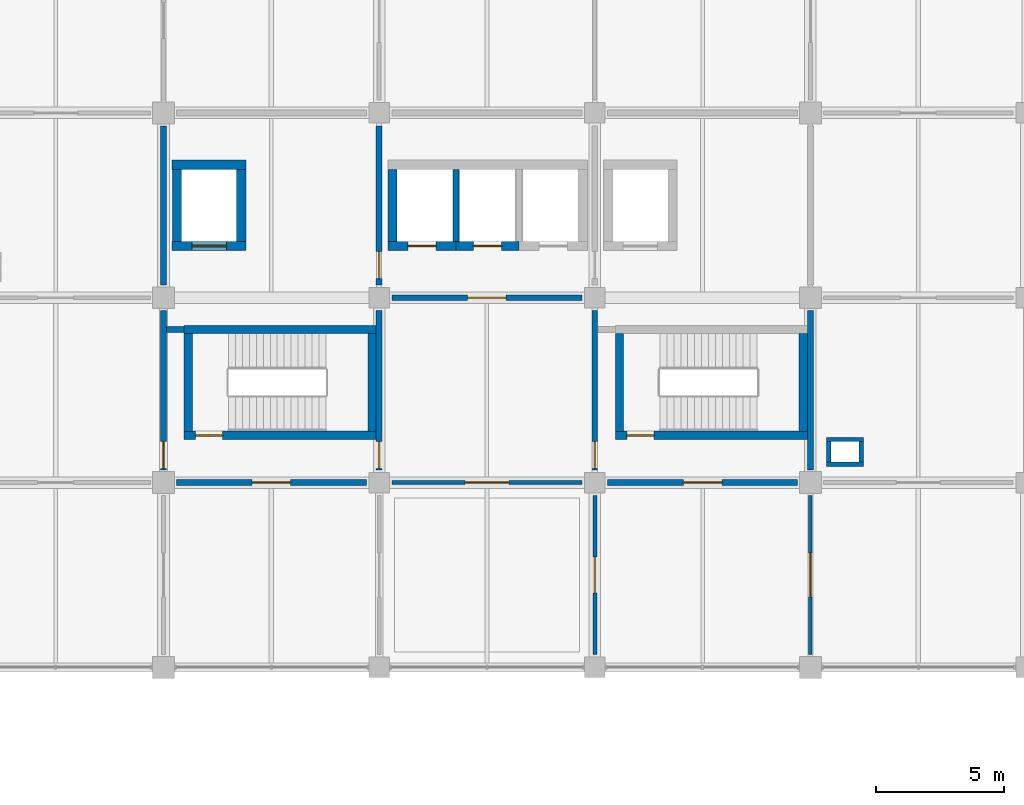
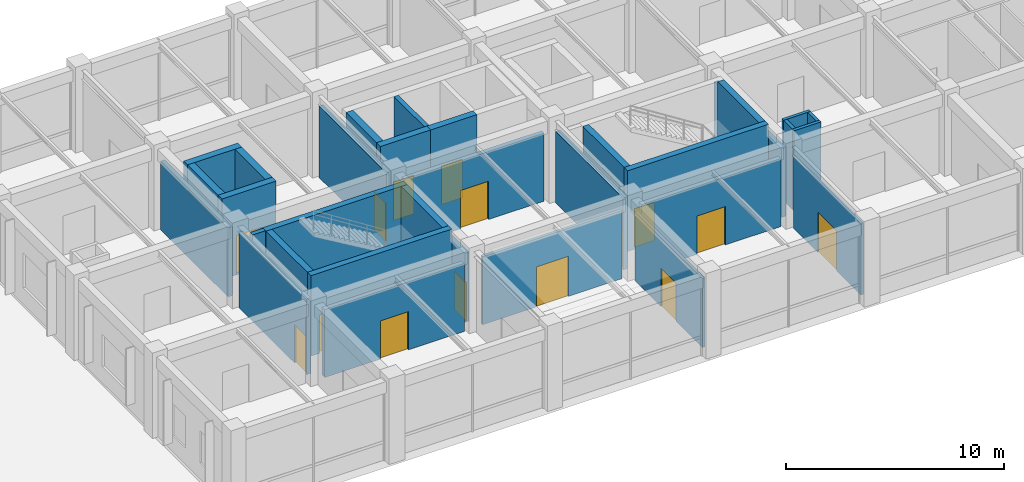
# One storey, part 39 of 45: 32 walls, 15 doors, 15 openings.
"""IFC4 building model written with IfcOpenShell, lengths in metres."""

from ifc_helpers import new_model, si_unit, derived_unit, direction, frame, frame_2d, origin, place, context, subcontext, project, spatial, rectangle, extrude, material, layer, layer_set, type_object, element, fill, save


model = new_model("IFC4")

# Units and contexts
model_context = context("Model", 3, precision=1e-05, world=origin(), true_north=direction((0.0, 1.0)))
body_context = subcontext(model_context, "Body", "Model", "MODEL_VIEW")
ifc_project = project(units=[si_unit("LENGTHUNIT", "METRE"), si_unit("AREAUNIT", "SQUARE_METRE"), si_unit("VOLUMEUNIT", "CUBIC_METRE"), si_unit("PLANEANGLEUNIT", "RADIAN"), si_unit("MASSUNIT", "GRAM", prefix="KILO"), derived_unit("THERMALTRANSMITTANCEUNIT", [(si_unit("MASSUNIT", "GRAM", prefix="KILO"), 1), (si_unit("TIMEUNIT", "SECOND"), -3), (si_unit("THERMODYNAMICTEMPERATUREUNIT", "KELVIN"), -1)])], contexts=[model_context])

# Site, building, storey
site_placement = place(None, origin())
site = spatial("IfcSite", under=ifc_project, at=site_placement, CompositionType="ELEMENT")
building_placement = place(site_placement, origin())
building = spatial("IfcBuilding", under=site, at=building_placement, Name="Veldstrom Oceanarium and Marine Research Institute", CompositionType="ELEMENT")
storey_placement = place(building_placement, frame((0.0, 0.0, 22.199951171875)))
storey = spatial("IfcBuildingStorey", under=building, at=storey_placement, Name="L04", CompositionType="ELEMENT", Elevation=22.199951171875)

# Wall, opening, door
ifc_material_1 = material(Name="Masonry Fire Compartment Wall", Category="masonry")
ifc_layer_1 = layer(ifc_material_1, 0.22998046875)
ifc_layer_set_1 = layer_set([ifc_layer_1], Name="ARC-WAL-PT1")
wall_type_1 = type_object("IfcWallType", Name="ARC-WAL-PT1", PredefinedType="PARTITIONING", material=ifc_layer_set_1)
wall_1_placement = place(storey_placement, frame((75.60009765625, 50.89990234375, 0.0), z_axis=(0.0, 0.0, 1.0), x_axis=(0.0, 1.0, 0.0)))
wall_1 = element("IfcWall", 1, at=wall_1_placement, inside=storey, type_object=wall_type_1, Name="Interior Partition PT1 L04-1402", PredefinedType="PARTITIONING", context=body_context, shape_type="SweptSolid", body=[
    extrude(rectangle(XDim=6.2001953125, YDim=0.22998046875, at=frame_2d((3.10009765625, 0.0))), origin(), (0.0, 0.0, 1.0), 4.22509765625),
])
opening_1_placement = place(wall_1_placement, frame((0.050048828125, 0.0, 0.0)))
opening_1 = element("IfcOpeningElement", 2, at=opening_1_placement, cuts=wall_1, Name="Opening D-L04-828", PredefinedType="OPENING", context=body_context, shape_type="SweptSolid", body=[
    extrude(rectangle(XDim=1.050048828125, YDim=2.14990234375, at=frame_2d((0.52490234375, 1.074951171875))), frame((0.0, 0.125, 0.0), z_axis=(0.0, -1.0, 0.0), x_axis=(1.0, 0.0, 0.0)), (0.0, 0.0, 1.0), 0.25),
])
ifc_material_2 = material(Name="Painted Steel Fire Door", Category="steel")
door_type_1 = type_object("IfcDoorType", Name="ARC-DOR-SD1", OperationType="SINGLE_SWING_LEFT", PredefinedType="DOOR", material=ifc_material_2)
door_1_placement = place(opening_1_placement, origin())
door_1 = element("IfcDoor", 3, at=door_1_placement, inside=storey, type_object=door_type_1, Name="Interior Door D-L04-828", OperationType="SINGLE_SWING_LEFT", OverallHeight=2.14990234375, OverallWidth=1.050048828125, PredefinedType="DOOR", context=body_context, shape_type="SweptSolid", body=[
    extrude(rectangle(XDim=1.050048828125, YDim=2.14990234375, at=frame_2d((0.52490234375, 1.074951171875))), frame((0.0, 0.02490234375, 0.0), z_axis=(0.0, -1.0, 0.0), x_axis=(1.0, 0.0, 0.0)), (0.0, 0.0, 1.0), 0.050048828125),
])
fill(opening_1, door_1)

# Wall
wall_2_placement = place(storey_placement, frame((75.60009765625, 58.10009765625, 0.0), z_axis=(0.0, 0.0, 1.0), x_axis=(0.0, 1.0, 0.0)))
element("IfcWall", 4, at=wall_2_placement, inside=storey, type_object=wall_type_1, Name="Interior Partition PT1 L04-1404", PredefinedType="PARTITIONING", context=body_context, shape_type="SweptSolid", body=[
    extrude(rectangle(XDim=6.199951171875, YDim=0.22998046875, at=frame_2d((3.10009765625, 0.0))), origin(), (0.0, 0.0, 1.0), 3.864990234375),
])

# Wall, opening, door
wall_3_placement = place(storey_placement, frame((76.10009765625, 50.39990234375, 0.0), z_axis=(0.0, 0.0, 1.0), x_axis=(1.0, 0.0, 0.0)))
wall_3 = element("IfcWall", 5, at=wall_3_placement, inside=storey, type_object=wall_type_1, Name="Interior Partition PT1 L04-1408", PredefinedType="PARTITIONING", context=body_context, shape_type="SweptSolid", body=[
    extrude(rectangle(XDim=7.39990234375, YDim=0.22998046875, at=frame_2d((3.699951171875, 0.0))), origin(), (0.0, 0.0, 1.0), 3.81494140625),
])
opening_2_placement = place(wall_3_placement, frame((2.949951171875, 0.0, 0.0)))
opening_2 = element("IfcOpeningElement", 6, at=opening_2_placement, cuts=wall_3, Name="Opening D-L04-833", PredefinedType="OPENING", context=body_context, shape_type="SweptSolid", body=[
    extrude(rectangle(XDim=1.5, YDim=2.14990234375, at=frame_2d((0.75, 1.074951171875))), frame((0.0, 0.125, 0.0), z_axis=(0.0, -1.0, 0.0), x_axis=(1.0, 0.0, 0.0)), (0.0, 0.0, 1.0), 0.25),
])
ifc_material_3 = material(Name="Painted Steel Lobby Fire Door", Category="steel")
door_type_2 = type_object("IfcDoorType", Name="ARC-DOR-SD2", OperationType="DOUBLE_DOOR_SINGLE_SWING", PredefinedType="DOOR", material=ifc_material_3)
door_2_placement = place(opening_2_placement, frame((1.5, 0.0, 0.0), z_axis=(0.0, 0.0, 1.0), x_axis=(-1.0, 0.0, 0.0)))
door_2 = element("IfcDoor", 7, at=door_2_placement, inside=storey, type_object=door_type_2, Name="Interior Door D-L04-833", OperationType="DOUBLE_DOOR_SINGLE_SWING", OverallHeight=2.14990234375, OverallWidth=1.5, PredefinedType="DOOR", context=body_context, shape_type="SweptSolid", body=[
    extrude(rectangle(XDim=1.5, YDim=2.14990234375, at=frame_2d((0.75, 1.074951171875))), frame((0.0, 0.02490234375, 0.0), z_axis=(0.0, -1.0, 0.0), x_axis=(1.0, 0.0, 0.0)), (0.0, 0.0, 1.0), 0.050048828125),
])
fill(opening_2, door_2)

wall_4_placement = place(storey_placement, frame((84.0, 50.89990234375, 0.0), z_axis=(0.0, 0.0, 1.0), x_axis=(0.0, 1.0, 0.0)))
wall_4 = element("IfcWall", 8, at=wall_4_placement, inside=storey, type_object=wall_type_1, Name="Interior Partition PT1 L04-1409", PredefinedType="PARTITIONING", context=body_context, shape_type="SweptSolid", body=[
    extrude(rectangle(XDim=6.2001953125, YDim=0.22998046875, at=frame_2d((3.10009765625, 0.0))), origin(), (0.0, 0.0, 1.0), 3.864990234375),
])
opening_3_placement = place(wall_4_placement, frame((0.050048828125, 0.0, 0.0)))
opening_3 = element("IfcOpeningElement", 9, at=opening_3_placement, cuts=wall_4, Name="Opening D-L04-834", PredefinedType="OPENING", context=body_context, shape_type="SweptSolid", body=[
    extrude(rectangle(XDim=1.050048828125, YDim=2.14990234375, at=frame_2d((0.52490234375, 1.074951171875))), frame((0.0, 0.125, 0.0), z_axis=(0.0, -1.0, 0.0), x_axis=(1.0, 0.0, 0.0)), (0.0, 0.0, 1.0), 0.25),
])
door_3_placement = place(opening_3_placement, frame((1.050048828125, 0.0, 0.0), z_axis=(0.0, 0.0, 1.0), x_axis=(-1.0, 0.0, 0.0)))
door_3 = element("IfcDoor", 10, at=door_3_placement, inside=storey, type_object=door_type_1, Name="Interior Door D-L04-834", OperationType="SINGLE_SWING_RIGHT", OverallHeight=2.14990234375, OverallWidth=1.050048828125, PredefinedType="DOOR", context=body_context, shape_type="SweptSolid", body=[
    extrude(rectangle(XDim=1.050048828125, YDim=2.14990234375, at=frame_2d((0.52490234375, 1.074951171875))), frame((0.0, 0.02490234375, 0.0), z_axis=(0.0, -1.0, 0.0), x_axis=(1.0, 0.0, 0.0)), (0.0, 0.0, 1.0), 0.050048828125),
])
fill(opening_3, door_3)

# Wall
wall_5_placement = place(storey_placement, frame((75.719970703125, 56.360107421875, 0.0), z_axis=(0.0, 0.0, 1.0), x_axis=(1.0, 0.0, 0.0)))
element("IfcWall", 11, at=wall_5_placement, inside=storey, type_object=wall_type_1, Name="Interior Partition PT1 L04-1410", PredefinedType="PARTITIONING", context=body_context, shape_type="SweptSolid", body=[
    extrude(rectangle(XDim=0.679931640625, YDim=0.22998046875, at=frame_2d((0.33984375, 0.0))), origin(), (0.0, 0.0, 1.0), 4.52001953125),
])

# Wall, opening, door
wall_6_placement = place(storey_placement, frame((84.0, 58.10009765625, 0.0), z_axis=(0.0, 0.0, 1.0), x_axis=(0.0, 1.0, 0.0)))
wall_6 = element("IfcWall", 12, at=wall_6_placement, inside=storey, type_object=wall_type_1, Name="Interior Partition PT1 L04-1411", PredefinedType="PARTITIONING", context=body_context, shape_type="SweptSolid", body=[
    extrude(rectangle(XDim=6.199951171875, YDim=0.22998046875, at=frame_2d((3.10009765625, 0.0))), origin(), (0.0, 0.0, 1.0), 4.01513671875),
])
opening_4_placement = place(wall_6_placement, frame((0.25, 0.0, 0.0)))
opening_4 = element("IfcOpeningElement", 13, at=opening_4_placement, cuts=wall_6, Name="Opening D-L04-835", PredefinedType="OPENING", context=body_context, shape_type="SweptSolid", body=[
    extrude(rectangle(XDim=1.050048828125, YDim=2.14990234375, at=frame_2d((0.52490234375, 1.074951171875))), frame((0.0, 0.125, 0.0), z_axis=(0.0, -1.0, 0.0), x_axis=(1.0, 0.0, 0.0)), (0.0, 0.0, 1.0), 0.25),
])
door_4_placement = place(opening_4_placement, origin())
door_4 = element("IfcDoor", 14, at=door_4_placement, inside=storey, type_object=door_type_1, Name="Interior Door D-L04-835", OperationType="SINGLE_SWING_LEFT", OverallHeight=2.14990234375, OverallWidth=1.050048828125, PredefinedType="DOOR", context=body_context, shape_type="SweptSolid", body=[
    extrude(rectangle(XDim=1.050048828125, YDim=2.14990234375, at=frame_2d((0.52490234375, 1.074951171875))), frame((0.0, 0.02490234375, 0.0), z_axis=(0.0, -1.0, 0.0), x_axis=(1.0, 0.0, 0.0)), (0.0, 0.0, 1.0), 0.050048828125),
])
fill(opening_4, door_4)

wall_7_placement = place(storey_placement, frame((92.39990234375, 50.89990234375, 0.0), z_axis=(0.0, 0.0, 1.0), x_axis=(0.0, 1.0, 0.0)))
wall_7 = element("IfcWall", 15, at=wall_7_placement, inside=storey, type_object=wall_type_1, Name="Interior Partition PT1 L04-1416", PredefinedType="PARTITIONING", context=body_context, shape_type="SweptSolid", body=[
    extrude(rectangle(XDim=6.2001953125, YDim=0.22998046875, at=frame_2d((3.10009765625, 0.0))), origin(), (0.0, 0.0, 1.0), 4.01513671875),
])
opening_5_placement = place(wall_7_placement, frame((0.050048828125, 0.0, 0.0)))
opening_5 = element("IfcOpeningElement", 16, at=opening_5_placement, cuts=wall_7, Name="Opening D-L04-839", PredefinedType="OPENING", context=body_context, shape_type="SweptSolid", body=[
    extrude(rectangle(XDim=1.050048828125, YDim=2.14990234375, at=frame_2d((0.52490234375, 1.074951171875))), frame((0.0, 0.125, 0.0), z_axis=(0.0, -1.0, 0.0), x_axis=(1.0, 0.0, 0.0)), (0.0, 0.0, 1.0), 0.25),
])
door_5_placement = place(opening_5_placement, origin())
door_5 = element("IfcDoor", 17, at=door_5_placement, inside=storey, type_object=door_type_1, Name="Interior Door D-L04-839", OperationType="SINGLE_SWING_LEFT", OverallHeight=2.14990234375, OverallWidth=1.050048828125, PredefinedType="DOOR", context=body_context, shape_type="SweptSolid", body=[
    extrude(rectangle(XDim=1.050048828125, YDim=2.14990234375, at=frame_2d((0.52490234375, 1.074951171875))), frame((0.0, 0.02490234375, 0.0), z_axis=(0.0, -1.0, 0.0), x_axis=(1.0, 0.0, 0.0)), (0.0, 0.0, 1.0), 0.050048828125),
])
fill(opening_5, door_5)

wall_8_placement = place(storey_placement, frame((84.5, 57.60009765625, 0.0), z_axis=(0.0, 0.0, 1.0), x_axis=(1.0, 0.0, 0.0)))
wall_8 = element("IfcWall", 18, at=wall_8_placement, inside=storey, type_object=wall_type_1, Name="Interior Partition PT1 L04-1417", PredefinedType="PARTITIONING", context=body_context, shape_type="SweptSolid", body=[
    extrude(rectangle(XDim=7.39990234375, YDim=0.22998046875, at=frame_2d((3.699951171875, 0.0))), origin(), (0.0, 0.0, 1.0), 3.81494140625),
])
opening_6_placement = place(wall_8_placement, frame((2.949951171875, 0.0, 0.0)))
opening_6 = element("IfcOpeningElement", 19, at=opening_6_placement, cuts=wall_8, Name="Opening D-L04-840", PredefinedType="OPENING", context=body_context, shape_type="SweptSolid", body=[
    extrude(rectangle(XDim=1.5, YDim=2.14990234375, at=frame_2d((0.75, 1.074951171875))), frame((0.0, 0.125, 0.0), z_axis=(0.0, -1.0, 0.0), x_axis=(1.0, 0.0, 0.0)), (0.0, 0.0, 1.0), 0.25),
])
door_6_placement = place(opening_6_placement, origin())
door_6 = element("IfcDoor", 20, at=door_6_placement, inside=storey, type_object=door_type_2, Name="Interior Door D-L04-840", OperationType="DOUBLE_DOOR_SINGLE_SWING", OverallHeight=2.14990234375, OverallWidth=1.5, PredefinedType="DOOR", context=body_context, shape_type="SweptSolid", body=[
    extrude(rectangle(XDim=1.5, YDim=2.14990234375, at=frame_2d((0.75, 1.074951171875))), frame((0.0, 0.02490234375, 0.0), z_axis=(0.0, -1.0, 0.0), x_axis=(1.0, 0.0, 0.0)), (0.0, 0.0, 1.0), 0.050048828125),
])
fill(opening_6, door_6)

wall_9_placement = place(storey_placement, frame((92.89990234375, 50.39990234375, 0.0), z_axis=(0.0, 0.0, 1.0), x_axis=(1.0, 0.0, 0.0)))
wall_9 = element("IfcWall", 21, at=wall_9_placement, inside=storey, type_object=wall_type_1, Name="Interior Partition PT1 L04-1422", PredefinedType="PARTITIONING", context=body_context, shape_type="SweptSolid", body=[
    extrude(rectangle(XDim=7.400146484375, YDim=0.22998046875, at=frame_2d((3.7001953125, 0.0))), origin(), (0.0, 0.0, 1.0), 3.81494140625),
])
opening_7_placement = place(wall_9_placement, frame((2.949951171875, 0.0, 0.0)))
opening_7 = element("IfcOpeningElement", 22, at=opening_7_placement, cuts=wall_9, Name="Opening D-L04-843", PredefinedType="OPENING", context=body_context, shape_type="SweptSolid", body=[
    extrude(rectangle(XDim=1.5, YDim=2.14990234375, at=frame_2d((0.75, 1.074951171875))), frame((0.0, 0.125, 0.0), z_axis=(0.0, -1.0, 0.0), x_axis=(1.0, 0.0, 0.0)), (0.0, 0.0, 1.0), 0.25),
])
door_7_placement = place(opening_7_placement, frame((1.5, 0.0, 0.0), z_axis=(0.0, 0.0, 1.0), x_axis=(-1.0, 0.0, 0.0)))
door_7 = element("IfcDoor", 23, at=door_7_placement, inside=storey, type_object=door_type_2, Name="Interior Door D-L04-843", OperationType="DOUBLE_DOOR_SINGLE_SWING", OverallHeight=2.14990234375, OverallWidth=1.5, PredefinedType="DOOR", context=body_context, shape_type="SweptSolid", body=[
    extrude(rectangle(XDim=1.5, YDim=2.14990234375, at=frame_2d((0.75, 1.074951171875))), frame((0.0, 0.02490234375, 0.0), z_axis=(0.0, -1.0, 0.0), x_axis=(1.0, 0.0, 0.0)), (0.0, 0.0, 1.0), 0.050048828125),
])
fill(opening_7, door_7)

# Wall
wall_10_placement = place(storey_placement, frame((100.800048828125, 50.89990234375, 0.0), z_axis=(0.0, 0.0, 1.0), x_axis=(0.0, 1.0, 0.0)))
element("IfcWall", 24, at=wall_10_placement, inside=storey, type_object=wall_type_1, Name="Interior Partition PT1 L04-1423", PredefinedType="PARTITIONING", context=body_context, shape_type="SweptSolid", body=[
    extrude(rectangle(XDim=6.2001953125, YDim=0.22998046875, at=frame_2d((3.10009765625, 0.0))), origin(), (0.0, 0.0, 1.0), 3.864990234375),
])

# Wall, opening, door
ifc_material_4 = material(Name="Drywall Corridor Partition", Category="gypsum")
ifc_layer_2 = layer(ifc_material_4, 0.155029296875)
ifc_layer_set_2 = layer_set([ifc_layer_2], Name="ARC-WAL-PT4")
wall_type_2 = type_object("IfcWallType", Name="ARC-WAL-PT4", PredefinedType="PARTITIONING", material=ifc_layer_set_2)
wall_11_placement = place(storey_placement, frame((92.39990234375, 43.699951171875, 0.0), z_axis=(0.0, 0.0, 1.0), x_axis=(0.0, 1.0, 0.0)))
wall_11 = element("IfcWall", 25, at=wall_11_placement, inside=storey, type_object=wall_type_2, Name="Interior Partition PT4 L04-1414", PredefinedType="PARTITIONING", context=body_context, shape_type="SweptSolid", body=[
    extrude(rectangle(XDim=6.199951171875, YDim=0.155029296875, at=frame_2d((3.10009765625, 0.0))), origin(), (0.0, 0.0, 1.0), 3.864990234375),
])
opening_8_placement = place(wall_11_placement, frame((2.39990234375, 0.0, 0.0)))
opening_8 = element("IfcOpeningElement", 26, at=opening_8_placement, cuts=wall_11, Name="Opening D-L04-837", PredefinedType="OPENING", context=body_context, shape_type="SweptSolid", body=[
    extrude(rectangle(XDim=1.39990234375, YDim=2.14990234375, at=frame_2d((0.699951171875, 1.074951171875))), frame((0.0, 0.08740234375, 0.0), z_axis=(0.0, -1.0, 0.0), x_axis=(1.0, 0.0, 0.0)), (0.0, 0.0, 1.0), 0.175048828125),
])
ifc_material_5 = material(Name="Education Classroom Door", Category="timber")
door_type_3 = type_object("IfcDoorType", Name="ARC-DOR-ID04", OperationType="DOUBLE_DOOR_SINGLE_SWING", PredefinedType="DOOR", material=ifc_material_5)
door_8_placement = place(opening_8_placement, frame((1.39990234375, 0.0, 0.0), z_axis=(0.0, 0.0, 1.0), x_axis=(-1.0, 0.0, 0.0)))
door_8 = element("IfcDoor", 27, at=door_8_placement, inside=storey, type_object=door_type_3, Name="Interior Door D-L04-837", OperationType="DOUBLE_DOOR_SINGLE_SWING", OverallHeight=2.14990234375, OverallWidth=1.39990234375, PredefinedType="DOOR", context=body_context, shape_type="SweptSolid", body=[
    extrude(rectangle(XDim=1.39990234375, YDim=2.14990234375, at=frame_2d((0.699951171875, 1.074951171875))), frame((0.0, 0.02490234375, 0.0), z_axis=(0.0, -1.0, 0.0), x_axis=(1.0, 0.0, 0.0)), (0.0, 0.0, 1.0), 0.050048828125),
])
fill(opening_8, door_8)

wall_12_placement = place(storey_placement, frame((84.5, 50.39990234375, 0.0), z_axis=(0.0, 0.0, 1.0), x_axis=(1.0, 0.0, 0.0)))
wall_12 = element("IfcWall", 28, at=wall_12_placement, inside=storey, type_object=wall_type_2, Name="Interior Partition PT4 L04-1415", PredefinedType="PARTITIONING", context=body_context, shape_type="SweptSolid", body=[
    extrude(rectangle(XDim=7.39990234375, YDim=0.155029296875, at=frame_2d((3.699951171875, 0.0))), origin(), (0.0, 0.0, 1.0), 3.81494140625),
])
opening_9_placement = place(wall_12_placement, frame((2.85009765625, 0.0, 0.0)))
opening_9 = element("IfcOpeningElement", 29, at=opening_9_placement, cuts=wall_12, Name="Opening D-L04-838", PredefinedType="OPENING", context=body_context, shape_type="SweptSolid", body=[
    extrude(rectangle(XDim=1.699951171875, YDim=2.25, at=frame_2d((0.85009765625, 1.125))), frame((0.0, 0.08740234375, 0.0), z_axis=(0.0, -1.0, 0.0), x_axis=(1.0, 0.0, 0.0)), (0.0, 0.0, 1.0), 0.175048828125),
])
ifc_material_6 = material(Name="Symposium Auditorium Door", Category="timber")
door_type_4 = type_object("IfcDoorType", Name="ARC-DOR-ID13", OperationType="DOUBLE_DOOR_SINGLE_SWING", PredefinedType="DOOR", material=ifc_material_6)
door_9_placement = place(opening_9_placement, frame((1.699951171875, 0.0, 0.0), z_axis=(0.0, 0.0, 1.0), x_axis=(-1.0, 0.0, 0.0)))
door_9 = element("IfcDoor", 30, at=door_9_placement, inside=storey, type_object=door_type_4, Name="Interior Door D-L04-838", OperationType="DOUBLE_DOOR_SINGLE_SWING", OverallHeight=2.25, OverallWidth=1.699951171875, PredefinedType="DOOR", context=body_context, shape_type="SweptSolid", body=[
    extrude(rectangle(XDim=1.699951171875, YDim=2.25, at=frame_2d((0.85009765625, 1.125))), frame((0.0, 0.02490234375, 0.0), z_axis=(0.0, -1.0, 0.0), x_axis=(1.0, 0.0, 0.0)), (0.0, 0.0, 1.0), 0.050048828125),
])
fill(opening_9, door_9)

ifc_material_7 = material(Name="Moisture-Resistant Wet-Area Partition", Category="masonry")
ifc_layer_3 = layer(ifc_material_7, 0.139892578125)
ifc_layer_set_3 = layer_set([ifc_layer_3], Name="ARC-WAL-PT5")
wall_type_3 = type_object("IfcWallType", Name="ARC-WAL-PT5", PredefinedType="PARTITIONING", material=ifc_layer_set_3)
wall_13_placement = place(storey_placement, frame((100.800048828125, 43.699951171875, 0.0), z_axis=(0.0, 0.0, 1.0), x_axis=(0.0, 1.0, 0.0)))
wall_13 = element("IfcWall", 31, at=wall_13_placement, inside=storey, type_object=wall_type_3, Name="Interior Partition PT5 L04-1421", PredefinedType="PARTITIONING", context=body_context, shape_type="SweptSolid", body=[
    extrude(rectangle(XDim=6.199951171875, YDim=0.139892578125, at=frame_2d((3.10009765625, 0.0))), origin(), (0.0, 0.0, 1.0), 4.01513671875),
])
opening_10_placement = place(wall_13_placement, frame((2.25, 0.0, 0.0)))
opening_10 = element("IfcOpeningElement", 32, at=opening_10_placement, cuts=wall_13, Name="Opening D-L04-842", PredefinedType="OPENING", context=body_context, shape_type="SweptSolid", body=[
    extrude(rectangle(XDim=1.699951171875, YDim=2.25, at=frame_2d((0.85009765625, 1.125))), frame((0.0, 0.079833984375, 0.0), z_axis=(0.0, -1.0, 0.0), x_axis=(1.0, 0.0, 0.0)), (0.0, 0.0, 1.0), 0.159912109375),
])
door_10_placement = place(opening_10_placement, origin())
door_10 = element("IfcDoor", 33, at=door_10_placement, inside=storey, type_object=door_type_4, Name="Interior Door D-L04-842", OperationType="DOUBLE_DOOR_SINGLE_SWING", OverallHeight=2.25, OverallWidth=1.699951171875, PredefinedType="DOOR", context=body_context, shape_type="SweptSolid", body=[
    extrude(rectangle(XDim=1.699951171875, YDim=2.25, at=frame_2d((0.85009765625, 1.125))), frame((0.0, 0.02490234375, 0.0), z_axis=(0.0, -1.0, 0.0), x_axis=(1.0, 0.0, 0.0)), (0.0, 0.0, 1.0), 0.050048828125),
])
fill(opening_10, door_10)

# Walls
ifc_material_8 = material(Name="Service Riser Fire Shaft Wall", Category="masonry")
ifc_layer_4 = layer(ifc_material_8, 0.1650390625)
ifc_layer_set_4 = layer_set([ifc_layer_4], Name="ARC-WAL-PT9")
wall_type_4 = type_object("IfcWallType", Name="ARC-WAL-PT9", PredefinedType="PARTITIONING", material=ifc_layer_set_4)
for number, where, z_axis, x_axis, name in (
    (34, (101.43505859375, 51.117431640625, 0.0), (0.0, 0.0, 1.0), (1.0, 0.0, 0.0), "Service Riser Fire Shaft Wall L04-CE-S"),
    (35, (101.43505859375, 52.08251953125, 0.0), (0.0, 0.0, 1.0), (1.0, 0.0, 0.0), "Service Riser Fire Shaft Wall L04-CE-N"),
):
    element("IfcWall", number, at=place(storey_placement, frame(where, z_axis=z_axis, x_axis=x_axis)), inside=storey, type_object=wall_type_4, Name=name, PredefinedType="PARTITIONING", context=body_context, shape_type="SweptSolid", body=[
        extrude(rectangle(XDim=1.429931640625, YDim=0.1650390625, at=frame_2d((0.71484375, 0.0))), origin(), (0.0, 0.0, 1.0), 4.52001953125),
    ])
for number, where, z_axis, x_axis, name in (
    (36, (101.517578125, 51.199951171875, 0.0), (0.0, 0.0, 1.0), (0.0, 1.0, 0.0), "Service Riser Fire Shaft Wall L04-CE-W"),
    (37, (102.782470703125, 51.199951171875, 0.0), (0.0, 0.0, 1.0), (0.0, 1.0, 0.0), "Service Riser Fire Shaft Wall L04-CE-E"),
):
    element("IfcWall", number, at=place(storey_placement, frame(where, z_axis=z_axis, x_axis=x_axis)), inside=storey, type_object=wall_type_4, Name=name, PredefinedType="PARTITIONING", context=body_context, shape_type="SweptSolid", body=[
        extrude(rectangle(XDim=0.800048828125, YDim=0.1650390625, at=frame_2d((0.39990234375, 0.0))), origin(), (0.0, 0.0, 1.0), 4.52001953125),
    ])
ifc_material_9 = material(Name="Concrete C40/50", Category="concrete")
ifc_layer_5 = layer(ifc_material_9, 0.360107421875)
ifc_layer_set_5 = layer_set([ifc_layer_5], Name="STR-WAL-WC2")
wall_type_5 = type_object("IfcWallType", Name="STR-WAL-WC2", PredefinedType="SHEAR", material=ifc_layer_set_5)
wall_14_placement = place(storey_placement, frame((75.93994140625, 62.780029296875, 0.0), z_axis=(0.0, 0.0, 1.0), x_axis=(1.0, 0.0, 0.0)))
element("IfcWall", 38, at=wall_14_placement, inside=storey, type_object=wall_type_5, Name="Lift Shaft Shear Wall N L04 9/8", PredefinedType="SHEAR", context=body_context, shape_type="SweptSolid", body=[
    extrude(rectangle(XDim=2.8701171875, YDim=0.360107421875, at=frame_2d((1.43505859375, 0.0))), origin(), (0.0, 0.0, 1.0), 4.52001953125),
])

# Wall, opening, door
wall_15_placement = place(storey_placement, frame((75.93994140625, 59.6201171875, 0.0), z_axis=(0.0, 0.0, 1.0), x_axis=(1.0, 0.0, 0.0)))
wall_15 = element("IfcWall", 39, at=wall_15_placement, inside=storey, type_object=wall_type_5, Name="Lift Shaft Front Shear Wall LF1 L04", PredefinedType="SHEAR", context=body_context, shape_type="SweptSolid", body=[
    extrude(rectangle(XDim=2.8701171875, YDim=0.360107421875, at=frame_2d((1.43505859375, 0.0))), origin(), (0.0, 0.0, 1.0), 4.52001953125),
])
opening_11_placement = place(wall_15_placement, frame((0.760009765625, 0.0, 0.0)))
opening_11 = element("IfcOpeningElement", 40, at=opening_11_placement, cuts=wall_15, Name="Opening LD-LF1-L04", PredefinedType="OPENING", context=body_context, shape_type="SweptSolid", body=[
    extrude(rectangle(XDim=1.35009765625, YDim=2.199951171875, at=frame_2d((0.675048828125, 1.10009765625))), frame((0.0, 0.18994140625, 0.0), z_axis=(0.0, -1.0, 0.0), x_axis=(1.0, 0.0, 0.0)), (0.0, 0.0, 1.0), 0.380126953125),
])
ifc_material_10 = material(Name="Stainless Steel Lift Landing Door", Category="steel")
door_type_5 = type_object("IfcDoorType", Name="ARC-DOR-LD3", OperationType="DOUBLE_DOOR_SLIDING", PredefinedType="DOOR", material=ifc_material_10)
door_11_placement = place(opening_11_placement, origin())
door_11 = element("IfcDoor", 41, at=door_11_placement, inside=storey, type_object=door_type_5, Name="Lift Landing Door LD-LF1-L04", OperationType="DOUBLE_DOOR_SLIDING", OverallHeight=2.199951171875, OverallWidth=1.35009765625, PredefinedType="DOOR", context=body_context, shape_type="SweptSolid", body=[
    extrude(rectangle(XDim=1.35009765625, YDim=2.199951171875, at=frame_2d((0.675048828125, 1.10009765625))), frame((0.0, 0.02490234375, 0.0), z_axis=(0.0, -1.0, 0.0), x_axis=(1.0, 0.0, 0.0)), (0.0, 0.0, 1.0), 0.050048828125),
])
fill(opening_11, door_11)

# Walls
for number, where, z_axis, x_axis, name in (
    (42, (76.1201171875, 59.800048828125, 0.0), (0.0, 0.0, 1.0), (0.0, 1.0, 0.0), "Lift Shaft Shear Wall W L04 9/8"),
    (43, (78.6298828125, 59.800048828125, 0.0), (0.0, 0.0, 1.0), (0.0, 1.0, 0.0), "Lift Shaft Shear Wall E L04 9/8"),
):
    element("IfcWall", number, at=place(storey_placement, frame(where, z_axis=z_axis, x_axis=x_axis)), inside=storey, type_object=wall_type_5, Name=name, PredefinedType="SHEAR", context=body_context, shape_type="SweptSolid", body=[
        extrude(rectangle(XDim=2.800048828125, YDim=0.360107421875, at=frame_2d((1.39990234375, 0.0))), origin(), (0.0, 0.0, 1.0), 4.52001953125),
    ])

# Wall, opening, door
wall_16_placement = place(storey_placement, frame((84.340087890625, 59.6201171875, 0.0), z_axis=(0.0, 0.0, 1.0), x_axis=(1.0, 0.0, 0.0)))
wall_16 = element("IfcWall", 44, at=wall_16_placement, inside=storey, type_object=wall_type_5, Name="Lift Shaft Front Shear Wall LP1 L04", PredefinedType="SHEAR", context=body_context, shape_type="SweptSolid", body=[
    extrude(rectangle(XDim=2.659912109375, YDim=0.360107421875, at=frame_2d((1.330078125, 0.0))), origin(), (0.0, 0.0, 1.0), 4.52001953125),
])
opening_12_placement = place(wall_16_placement, frame((0.780029296875, 0.0, 0.0)))
opening_12 = element("IfcOpeningElement", 45, at=opening_12_placement, cuts=wall_16, Name="Opening LD-LP1-L04", PredefinedType="OPENING", context=body_context, shape_type="SweptSolid", body=[
    extrude(rectangle(XDim=1.10009765625, YDim=2.14990234375, at=frame_2d((0.550048828125, 1.074951171875))), frame((0.0, 0.18994140625, 0.0), z_axis=(0.0, -1.0, 0.0), x_axis=(1.0, 0.0, 0.0)), (0.0, 0.0, 1.0), 0.380126953125),
])
ifc_material_11 = material(Name="Stainless Steel Lift Landing Door", Category="steel")
door_type_6 = type_object("IfcDoorType", Name="ARC-DOR-LD1", OperationType="DOUBLE_DOOR_SLIDING", PredefinedType="DOOR", material=ifc_material_11)
door_12_placement = place(opening_12_placement, origin())
door_12 = element("IfcDoor", 46, at=door_12_placement, inside=storey, type_object=door_type_6, Name="Lift Landing Door LD-LP1-L04", OperationType="DOUBLE_DOOR_SLIDING", OverallHeight=2.14990234375, OverallWidth=1.10009765625, PredefinedType="DOOR", context=body_context, shape_type="SweptSolid", body=[
    extrude(rectangle(XDim=1.10009765625, YDim=2.14990234375, at=frame_2d((0.550048828125, 1.074951171875))), frame((0.0, 0.02490234375, 0.0), z_axis=(0.0, -1.0, 0.0), x_axis=(1.0, 0.0, 0.0)), (0.0, 0.0, 1.0), 0.050048828125),
])
fill(opening_12, door_12)

wall_17_placement = place(storey_placement, frame((87.0, 59.6201171875, 0.0), z_axis=(0.0, 0.0, 1.0), x_axis=(1.0, 0.0, 0.0)))
wall_17 = element("IfcWall", 47, at=wall_17_placement, inside=storey, type_object=wall_type_5, Name="Lift Shaft Front Shear Wall LP2 L04", PredefinedType="SHEAR", context=body_context, shape_type="SweptSolid", body=[
    extrude(rectangle(XDim=2.449951171875, YDim=0.360107421875, at=frame_2d((1.22509765625, 0.0))), origin(), (0.0, 0.0, 1.0), 4.52001953125),
])
opening_13_placement = place(wall_17_placement, frame((0.675048828125, 0.0, 0.0)))
opening_13 = element("IfcOpeningElement", 48, at=opening_13_placement, cuts=wall_17, Name="Opening LD-LP2-L04", PredefinedType="OPENING", context=body_context, shape_type="SweptSolid", body=[
    extrude(rectangle(XDim=1.10009765625, YDim=2.14990234375, at=frame_2d((0.550048828125, 1.074951171875))), frame((0.0, 0.18994140625, 0.0), z_axis=(0.0, -1.0, 0.0), x_axis=(1.0, 0.0, 0.0)), (0.0, 0.0, 1.0), 0.380126953125),
])
door_13_placement = place(opening_13_placement, origin())
door_13 = element("IfcDoor", 49, at=door_13_placement, inside=storey, type_object=door_type_6, Name="Lift Landing Door LD-LP2-L04", OperationType="DOUBLE_DOOR_SLIDING", OverallHeight=2.14990234375, OverallWidth=1.10009765625, PredefinedType="DOOR", context=body_context, shape_type="SweptSolid", body=[
    extrude(rectangle(XDim=1.10009765625, YDim=2.14990234375, at=frame_2d((0.550048828125, 1.074951171875))), frame((0.0, 0.02490234375, 0.0), z_axis=(0.0, -1.0, 0.0), x_axis=(1.0, 0.0, 0.0)), (0.0, 0.0, 1.0), 0.050048828125),
])
fill(opening_13, door_13)

# Wall
wall_18_placement = place(storey_placement, frame((84.52001953125, 59.800048828125, 0.0), z_axis=(0.0, 0.0, 1.0), x_axis=(0.0, 1.0, 0.0)))
element("IfcWall", 50, at=wall_18_placement, inside=storey, type_object=wall_type_5, Name="Lift Shaft Shear Wall W L04 10/8", PredefinedType="SHEAR", context=body_context, shape_type="SweptSolid", body=[
    extrude(rectangle(XDim=2.800048828125, YDim=0.360107421875, at=frame_2d((1.39990234375, 0.0))), origin(), (0.0, 0.0, 1.0), 4.52001953125),
])

# Wall, opening, door
ifc_material_12 = material(Name="Concrete C40/50", Category="concrete")
ifc_layer_6 = layer(ifc_material_12, 0.320068359375)
ifc_layer_set_6 = layer_set([ifc_layer_6], Name="STR-WAL-WC3")
wall_type_6 = type_object("IfcWallType", Name="STR-WAL-WC3", PredefinedType="SHEAR", material=ifc_layer_set_6)
wall_19_placement = place(storey_placement, frame((76.39990234375, 52.239990234375, 0.0), z_axis=(0.0, 0.0, 1.0), x_axis=(1.0, 0.0, 0.0)))
wall_19 = element("IfcWall", 51, at=wall_19_placement, inside=storey, type_object=wall_type_6, Name="Stair Core Shear Wall SC1-L04-S", PredefinedType="SHEAR", context=body_context, shape_type="SweptSolid", body=[
    extrude(rectangle(XDim=7.47998046875, YDim=0.320068359375, at=frame_2d((3.739990234375, 0.0))), origin(), (0.0, 0.0, 1.0), 4.52001953125),
])
opening_14_placement = place(wall_19_placement, frame((0.449951171875, 0.0, 0.0)))
opening_14 = element("IfcOpeningElement", 52, at=opening_14_placement, cuts=wall_19, Name="Opening D-ST1-L04", PredefinedType="OPENING", context=body_context, shape_type="SweptSolid", body=[
    extrude(rectangle(XDim=1.050048828125, YDim=2.14990234375, at=frame_2d((0.52490234375, 1.074951171875))), frame((0.0, 0.169921875, 0.0), z_axis=(0.0, -1.0, 0.0), x_axis=(1.0, 0.0, 0.0)), (0.0, 0.0, 1.0), 0.340087890625),
])
door_14_placement = place(opening_14_placement, origin())
door_14 = element("IfcDoor", 53, at=door_14_placement, inside=storey, type_object=door_type_1, Name="Escape Stair Fire Door D-ST1-L04", OperationType="SINGLE_SWING_LEFT", OverallHeight=2.14990234375, OverallWidth=1.050048828125, PredefinedType="DOOR", context=body_context, shape_type="SweptSolid", body=[
    extrude(rectangle(XDim=1.050048828125, YDim=2.14990234375, at=frame_2d((0.52490234375, 1.074951171875))), frame((0.0, 0.02490234375, 0.0), z_axis=(0.0, -1.0, 0.0), x_axis=(1.0, 0.0, 0.0)), (0.0, 0.0, 1.0), 0.050048828125),
])
fill(opening_14, door_14)

# Walls
wall_20_placement = place(storey_placement, frame((76.39990234375, 56.360107421875, 0.0), z_axis=(0.0, 0.0, 1.0), x_axis=(1.0, 0.0, 0.0)))
element("IfcWall", 54, at=wall_20_placement, inside=storey, type_object=wall_type_6, Name="Stair Core Shear Wall SC1-L04-N", PredefinedType="SHEAR", context=body_context, shape_type="SweptSolid", body=[
    extrude(rectangle(XDim=7.47998046875, YDim=0.320068359375, at=frame_2d((3.739990234375, 0.0))), origin(), (0.0, 0.0, 1.0), 4.52001953125),
])
for number, where, z_axis, x_axis, name in (
    (55, (76.56005859375, 52.39990234375, 0.0), (0.0, 0.0, 1.0), (0.0, 1.0, 0.0), "Stair Core Shear Wall SC1-L04-W"),
    (56, (83.719970703125, 52.39990234375, 0.0), (0.0, 0.0, 1.0), (0.0, 1.0, 0.0), "Stair Core Shear Wall SC1-L04-E"),
):
    element("IfcWall", number, at=place(storey_placement, frame(where, z_axis=z_axis, x_axis=x_axis)), inside=storey, type_object=wall_type_6, Name=name, PredefinedType="SHEAR", context=body_context, shape_type="SweptSolid", body=[
        extrude(rectangle(XDim=3.800048828125, YDim=0.320068359375, at=frame_2d((1.89990234375, 0.0))), origin(), (0.0, 0.0, 1.0), 4.52001953125),
    ])

# Wall, opening, door
wall_21_placement = place(storey_placement, frame((93.199951171875, 52.239990234375, 0.0), z_axis=(0.0, 0.0, 1.0), x_axis=(1.0, 0.0, 0.0)))
wall_21 = element("IfcWall", 57, at=wall_21_placement, inside=storey, type_object=wall_type_6, Name="Stair Core Shear Wall SC2-L04-S", PredefinedType="SHEAR", context=body_context, shape_type="SweptSolid", body=[
    extrude(rectangle(XDim=7.47998046875, YDim=0.320068359375, at=frame_2d((3.739990234375, 0.0))), origin(), (0.0, 0.0, 1.0), 4.52001953125),
])
opening_15_placement = place(wall_21_placement, frame((0.449951171875, 0.0, 0.0)))
opening_15 = element("IfcOpeningElement", 58, at=opening_15_placement, cuts=wall_21, Name="Opening D-ST2-L04", PredefinedType="OPENING", context=body_context, shape_type="SweptSolid", body=[
    extrude(rectangle(XDim=1.050048828125, YDim=2.14990234375, at=frame_2d((0.52490234375, 1.074951171875))), frame((0.0, 0.169921875, 0.0), z_axis=(0.0, -1.0, 0.0), x_axis=(1.0, 0.0, 0.0)), (0.0, 0.0, 1.0), 0.340087890625),
])
door_15_placement = place(opening_15_placement, origin())
door_15 = element("IfcDoor", 59, at=door_15_placement, inside=storey, type_object=door_type_1, Name="Escape Stair Fire Door D-ST2-L04", OperationType="SINGLE_SWING_LEFT", OverallHeight=2.14990234375, OverallWidth=1.050048828125, PredefinedType="DOOR", context=body_context, shape_type="SweptSolid", body=[
    extrude(rectangle(XDim=1.050048828125, YDim=2.14990234375, at=frame_2d((0.52490234375, 1.074951171875))), frame((0.0, 0.02490234375, 0.0), z_axis=(0.0, -1.0, 0.0), x_axis=(1.0, 0.0, 0.0)), (0.0, 0.0, 1.0), 0.050048828125),
])
fill(opening_15, door_15)

# Walls
for number, where, z_axis, x_axis, name in (
    (60, (93.360107421875, 52.39990234375, 0.0), (0.0, 0.0, 1.0), (0.0, 1.0, 0.0), "Stair Core Shear Wall SC2-L04-W"),
    (61, (100.52001953125, 52.39990234375, 0.0), (0.0, 0.0, 1.0), (0.0, 1.0, 0.0), "Stair Core Shear Wall SC2-L04-E"),
):
    element("IfcWall", number, at=place(storey_placement, frame(where, z_axis=z_axis, x_axis=x_axis)), inside=storey, type_object=wall_type_6, Name=name, PredefinedType="SHEAR", context=body_context, shape_type="SweptSolid", body=[
        extrude(rectangle(XDim=3.800048828125, YDim=0.320068359375, at=frame_2d((1.89990234375, 0.0))), origin(), (0.0, 0.0, 1.0), 4.52001953125),
    ])
ifc_material_13 = material(Name="Concrete C40/50", Category="concrete")
ifc_layer_7 = layer(ifc_material_13, 0.239990234375)
ifc_layer_set_7 = layer_set([ifc_layer_7], Name="STR-WAL-WC4")
wall_type_7 = type_object("IfcWallType", Name="STR-WAL-WC4", PredefinedType="SHEAR", material=ifc_layer_set_7)
wall_22_placement = place(storey_placement, frame((87.0, 59.800048828125, 0.0), z_axis=(0.0, 0.0, 1.0), x_axis=(0.0, 1.0, 0.0)))
element("IfcWall", 62, at=wall_22_placement, inside=storey, type_object=wall_type_7, Name="Lift Shaft Divider Wall L04 10/8-1", PredefinedType="SHEAR", context=body_context, shape_type="SweptSolid", body=[
    extrude(rectangle(XDim=2.800048828125, YDim=0.239990234375, at=frame_2d((1.39990234375, 0.0))), origin(), (0.0, 0.0, 1.0), 4.52001953125),
])

save(model, "model.ifc")
